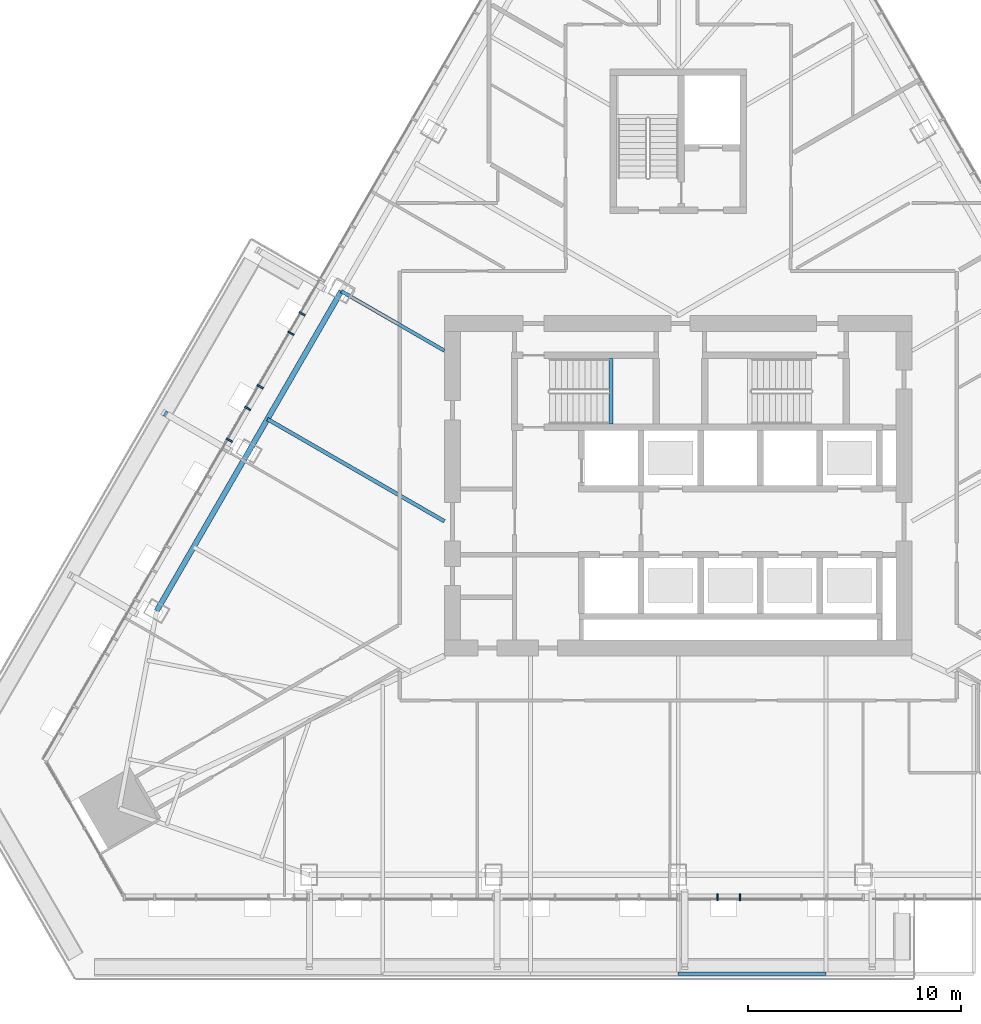
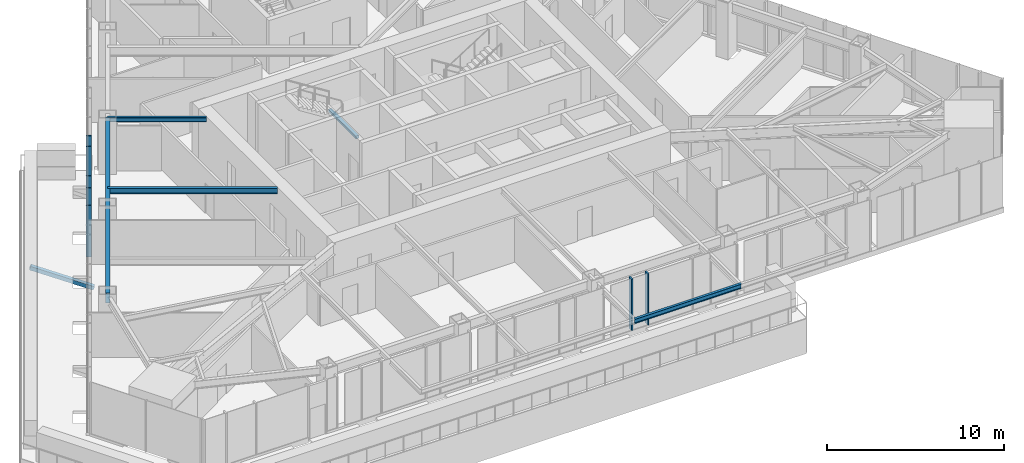
# One storey, part 3 of 23: 8 members, 5 beams, 2 elements without a shape of their own.
"""IFC4 building model written with IfcOpenShell, lengths in metres."""

from ifc_helpers import new_model, si_unit, direction, frame, origin, origin_2d, place, context, subcontext, project, spatial, rectangle, hollow_rectangle, i_section, extrude, material, layer, layer_set, material_profile, profile_set, type_object, element, aggregate, save


model = new_model("IFC4")

# Units and contexts
model_context = context("Model", 3, precision=1e-05, world=origin(), true_north=direction((0.0, 1.0)))
body_context = subcontext(model_context, "Body", "Model", "MODEL_VIEW")
ifc_project = project(units=[si_unit("LENGTHUNIT", "METRE"), si_unit("AREAUNIT", "SQUARE_METRE"), si_unit("VOLUMEUNIT", "CUBIC_METRE"), si_unit("PLANEANGLEUNIT", "RADIAN"), si_unit("MASSUNIT", "GRAM", prefix="KILO")], contexts=[model_context])

# Site, building, storey
site_placement = place(None, origin())
site = spatial("IfcSite", under=ifc_project, at=site_placement, CompositionType="ELEMENT")
building_placement = place(site_placement, origin())
building = spatial("IfcBuilding", under=site, at=building_placement, Name="Firuza Gate Tower and Library", CompositionType="ELEMENT")
storey_placement = place(building_placement, frame((0.0, 0.0, 190.89990234375)))
storey = spatial("IfcBuildingStorey", under=building, at=storey_placement, Name="L44", CompositionType="ELEMENT", Elevation=190.89990234375)

# Curtain wall, members
ifc_material_1 = material(Name="Aluminium 6063-T6", Category="aluminium")
ifc_layer = layer(ifc_material_1, 0.14990234375)
ifc_layer_set = layer_set([ifc_layer], Name="Unitised curtain wall, hotel")
curtain_wall_type = type_object("IfcCurtainWallType", Name="Unitised curtain wall, hotel", PredefinedType="NOTDEFINED", material=ifc_layer_set)
placement = place(storey_placement, origin())
curtain_wall_1 = element("IfcCurtainWall", 1, at=placement, inside=storey, type_object=curtain_wall_type, Name="CW2 L44 S face", PredefinedType="NOTDEFINED")
ifc_material_2 = material(Name="Aluminium 6063-T6", Category="aluminium")
ifc_material_profile_1 = material_profile(ifc_material_2, rectangle(XDim=0.320068359375, YDim=0.080078125, at=origin_2d()))
ifc_profile_set_1 = profile_set([ifc_material_profile_1], Name="Aluminium 6063-T6")
member_type_1 = type_object("IfcMemberType", Name="Curtain wall mullion 80x320", PredefinedType="MULLION", material=ifc_profile_set_1)
member_1_placement = place(storey_placement, frame((77.900146484375, 55.638916015625, 0.150146484375), z_axis=(0.0, 0.0, 1.0), x_axis=(0.0, 1.0, 0.0)))
member_1 = element("IfcMember", 2, at=member_1_placement, type_object=member_type_1, Name="Mullion", PredefinedType="MULLION", context=body_context, shape_type="SweptSolid", body=[
    extrude(rectangle(XDim=0.320068359375, YDim=0.080078125, at=origin_2d()), origin(), (0.0, 0.0, 1.0), 3.550048828125),
])
member_2_placement = place(storey_placement, frame((76.84375, 55.638916015625, 0.150146484375), z_axis=(0.0, 0.0, 1.0), x_axis=(0.0, 1.0, 0.0)))
member_2 = element("IfcMember", 3, at=member_2_placement, type_object=member_type_1, Name="Mullion", PredefinedType="MULLION", context=body_context, shape_type="SweptSolid", body=[
    extrude(rectangle(XDim=0.320068359375, YDim=0.080078125, at=origin_2d()), origin(), (0.0, 0.0, 1.0), 3.550048828125),
])
aggregate(curtain_wall_1, [member_1, member_2])

curtain_wall_2 = element("IfcCurtainWall", 4, at=placement, inside=storey, type_object=curtain_wall_type, Name="CW2 L44 W face", PredefinedType="NOTDEFINED")
member_3_placement = place(storey_placement, frame((56.78271484375, 82.1689453125, 0.150146484375), z_axis=(0.0, 0.0, 1.0), x_axis=(0.866025403784, -0.5, 0.0)))
member_3 = element("IfcMember", 5, at=member_3_placement, type_object=member_type_1, Name="Mullion", PredefinedType="MULLION", context=body_context, shape_type="SweptSolid", body=[
    extrude(rectangle(XDim=0.320068359375, YDim=0.080078125, at=origin_2d()), origin(), (0.0, 0.0, 1.0), 3.550048828125),
])
member_4_placement = place(storey_placement, frame((55.332763671875, 79.657470703125, 0.150146484375), z_axis=(0.0, 0.0, 1.0), x_axis=(0.866025403784, -0.5, 0.0)))
member_4 = element("IfcMember", 6, at=member_4_placement, type_object=member_type_1, Name="Mullion", PredefinedType="MULLION", context=body_context, shape_type="SweptSolid", body=[
    extrude(rectangle(XDim=0.320068359375, YDim=0.080078125, at=origin_2d()), origin(), (0.0, 0.0, 1.0), 3.550048828125),
])
member_5_placement = place(storey_placement, frame((53.882568359375, 77.14599609375, 0.150146484375), z_axis=(0.0, 0.0, 1.0), x_axis=(0.866025403784, -0.5, 0.0)))
member_5 = element("IfcMember", 7, at=member_5_placement, type_object=member_type_1, Name="Mullion", PredefinedType="MULLION", context=body_context, shape_type="SweptSolid", body=[
    extrude(rectangle(XDim=0.320068359375, YDim=0.080078125, at=origin_2d()), origin(), (0.0, 0.0, 1.0), 3.550048828125),
])
member_6_placement = place(storey_placement, frame((57.310791015625, 83.083984375, 0.150146484375), z_axis=(0.0, 0.0, 1.0), x_axis=(0.866025403784, -0.5, 0.0)))
member_6 = element("IfcMember", 8, at=member_6_placement, type_object=member_type_1, Name="Mullion", PredefinedType="MULLION", context=body_context, shape_type="SweptSolid", body=[
    extrude(rectangle(XDim=0.320068359375, YDim=0.080078125, at=origin_2d()), origin(), (0.0, 0.0, 1.0), 3.550048828125),
])
member_7_placement = place(storey_placement, frame((54.74267578125, 78.635498046875, 0.150146484375), z_axis=(0.0, 0.0, 1.0), x_axis=(0.866025403784, -0.5, 0.0)))
member_7 = element("IfcMember", 9, at=member_7_placement, type_object=member_type_1, Name="Mullion", PredefinedType="MULLION", context=body_context, shape_type="SweptSolid", body=[
    extrude(rectangle(XDim=0.320068359375, YDim=0.080078125, at=origin_2d()), origin(), (0.0, 0.0, 1.0), 3.550048828125),
])
aggregate(curtain_wall_2, [member_3, member_4, member_5, member_6, member_7])

# Member
ifc_material_3 = material(Name="Steel S355", Category="steel")
ifc_material_profile_2 = material_profile(ifc_material_3, hollow_rectangle(XDim=0.25390625, YDim=0.25390625, WallThickness=0.01171875, at=origin_2d()))
ifc_profile_set_2 = profile_set([ifc_material_profile_2], Name="Steel S355")
member_type_2 = type_object("IfcMemberType", Name="HSS254x254x13 Tray strut", PredefinedType="BRACE", material=ifc_profile_set_2)
member_8_placement = place(storey_placement, frame((53.91845703125, 76.63623046875, -1.669921875), z_axis=(-0.807164722971, 0.465968546417, 0.362434026744), x_axis=(-0.499961193289, -0.866047807691, 0.0)))
element("IfcMember", 10, at=member_8_placement, inside=storey, type_object=member_type_2, Name="Tray strut L44 col:L43:W4", PredefinedType="BRACE", context=body_context, shape_type="SweptSolid", body=[
    extrude(hollow_rectangle(XDim=0.25390625, YDim=0.25390625, WallThickness=0.01171875, at=origin_2d()), origin(), (0.0, 0.0, 1.0), 3.862548828125),
])

# Beams
ifc_material_4 = material(Name="Concrete C35/45", Category="concrete")
ifc_material_profile_3 = material_profile(ifc_material_4, rectangle(XDim=0.199951171875, YDim=0.199951171875, at=origin_2d()))
ifc_profile_set_3 = profile_set([ifc_material_profile_3], Name="Concrete C35/45")
beam_type_1 = type_object("IfcBeamType", Name="Stair landing bearer 200x200", PredefinedType="BEAM", material=ifc_profile_set_3)
beam_1_placement = place(storey_placement, frame((71.840087890625, 77.89990234375, 1.650146484375), z_axis=(0.0, 1.0, 0.0), x_axis=(-1.0, 0.0, 0.0)))
element("IfcBeam", 11, at=beam_1_placement, inside=storey, type_object=beam_type_1, Name="Landing bearer L44 stair 1", PredefinedType="BEAM", context=body_context, shape_type="SweptSolid", body=[
    extrude(rectangle(XDim=0.199951171875, YDim=0.199951171875, at=origin_2d()), origin(), (0.0, 0.0, 1.0), 3.080078125),
])
ifc_material_5 = material(Name="Steel S355", Category="steel")
ifc_material_profile_4 = material_profile(ifc_material_5, i_section(OverallWidth=0.1650390625, OverallDepth=0.31005859375, WebThickness=0.005859375, FlangeThickness=0.009765625, at=origin_2d()))
ifc_profile_set_4 = profile_set([ifc_material_profile_4], Name="Steel S355")
beam_type_2 = type_object("IfcBeamType", Name="W310x39 Floor beam", PredefinedType="JOIST", material=ifc_profile_set_4)
beam_2_placement = place(storey_placement, frame((59.150634765625, 84.150634765625, 3.545166015625), z_axis=(0.866023674378, -0.500002995407, 0.0), x_axis=(0.500002995407, 0.866023674378, 0.0)))
element("IfcBeam", 12, at=beam_2_placement, inside=storey, type_object=beam_type_2, Name="Floor beam L44 s82", PredefinedType="JOIST", context=body_context, shape_type="SweptSolid", body=[
    extrude(i_section(OverallWidth=0.1650390625, OverallDepth=0.31005859375, WebThickness=0.005859375, FlangeThickness=0.009765625, at=origin_2d()), origin(), (0.0, 0.0, 1.0), 5.599609375),
])
beam_3_placement = place(storey_placement, frame((75.0, 52.048828125, 3.545166015625), z_axis=(1.0, 0.0, 0.0), x_axis=(0.0, 1.0, 0.0)))
element("IfcBeam", 13, at=beam_3_placement, inside=storey, type_object=beam_type_2, Name="Tray edge beam L44 s22-s23", PredefinedType="JOIST", context=body_context, shape_type="SweptSolid", body=[
    extrude(i_section(OverallWidth=0.1650390625, OverallDepth=0.31005859375, WebThickness=0.005859375, FlangeThickness=0.009765625, at=origin_2d()), origin(), (0.0, 0.0, 1.0), 6.94873046875),
])
ifc_material_6 = material(Name="Steel S355", Category="steel")
ifc_material_profile_5 = material_profile(ifc_material_6, i_section(OverallWidth=0.177978515625, OverallDepth=0.406982421875, WebThickness=0.0078125, FlangeThickness=0.0126953125, at=origin_2d()))
ifc_profile_set_5 = profile_set([ifc_material_profile_5], Name="Steel S355")
beam_type_3 = type_object("IfcBeamType", Name="W410x60 Floor beam", PredefinedType="JOIST", material=ifc_profile_set_5)
beam_4_placement = place(storey_placement, frame((55.676513671875, 78.1328125, 3.49658203125), z_axis=(0.866021034044, -0.500007568537, 0.0), x_axis=(0.500007568537, 0.866021034044, 0.0)))
element("IfcBeam", 14, at=beam_4_placement, inside=storey, type_object=beam_type_3, Name="Floor beam L44 s83", PredefinedType="JOIST", context=body_context, shape_type="SweptSolid", body=[
    extrude(i_section(OverallWidth=0.177978515625, OverallDepth=0.406982421875, WebThickness=0.0078125, FlangeThickness=0.0126953125, at=origin_2d()), origin(), (0.0, 0.0, 1.0), 9.611083984375),
])
ifc_material_7 = material(Name="Steel S355", Category="steel")
ifc_material_profile_6 = material_profile(ifc_material_7, i_section(OverallWidth=0.2529296875, OverallDepth=0.677978515625, WebThickness=0.01171875, FlangeThickness=0.016357421875, at=origin_2d()))
ifc_profile_set_6 = profile_set([ifc_material_profile_6], Name="Steel S355")
beam_type_4 = type_object("IfcBeamType", Name="W690x125 Edge beam", PredefinedType="SPANDREL", material=ifc_profile_set_6)
beam_5_placement = place(storey_placement, frame((59.150634765625, 84.150634765625, 3.361083984375), z_axis=(-0.500001044169, -0.866024800932, 0.0), x_axis=(0.866024800932, -0.500001044169, 0.0)))
element("IfcBeam", 15, at=beam_5_placement, inside=storey, type_object=beam_type_4, Name="Edge beam L44 e82", PredefinedType="SPANDREL", context=body_context, shape_type="SweptSolid", body=[
    extrude(i_section(OverallWidth=0.2529296875, OverallDepth=0.677978515625, WebThickness=0.01171875, FlangeThickness=0.016357421875, at=origin_2d()), origin(), (0.0, 0.0, 1.0), 17.37158203125),
])

save(model, "model.ifc")
